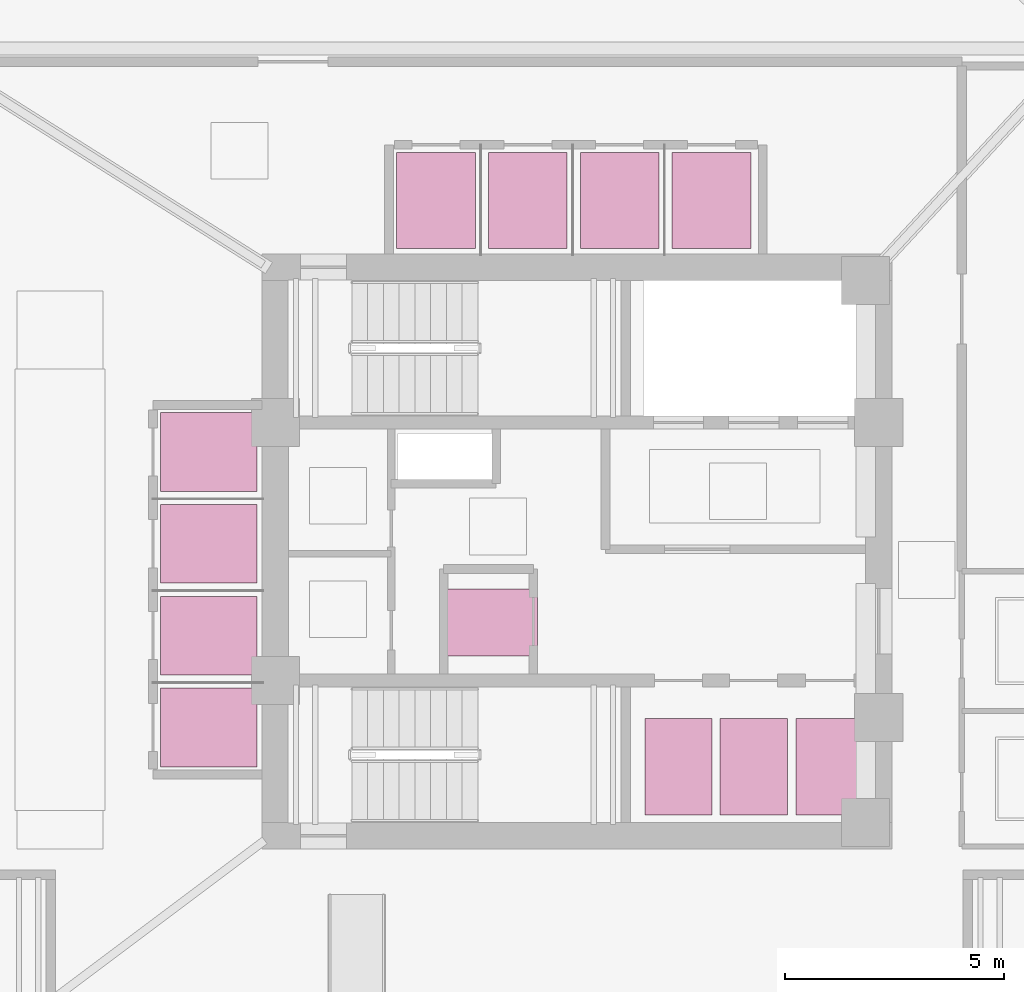
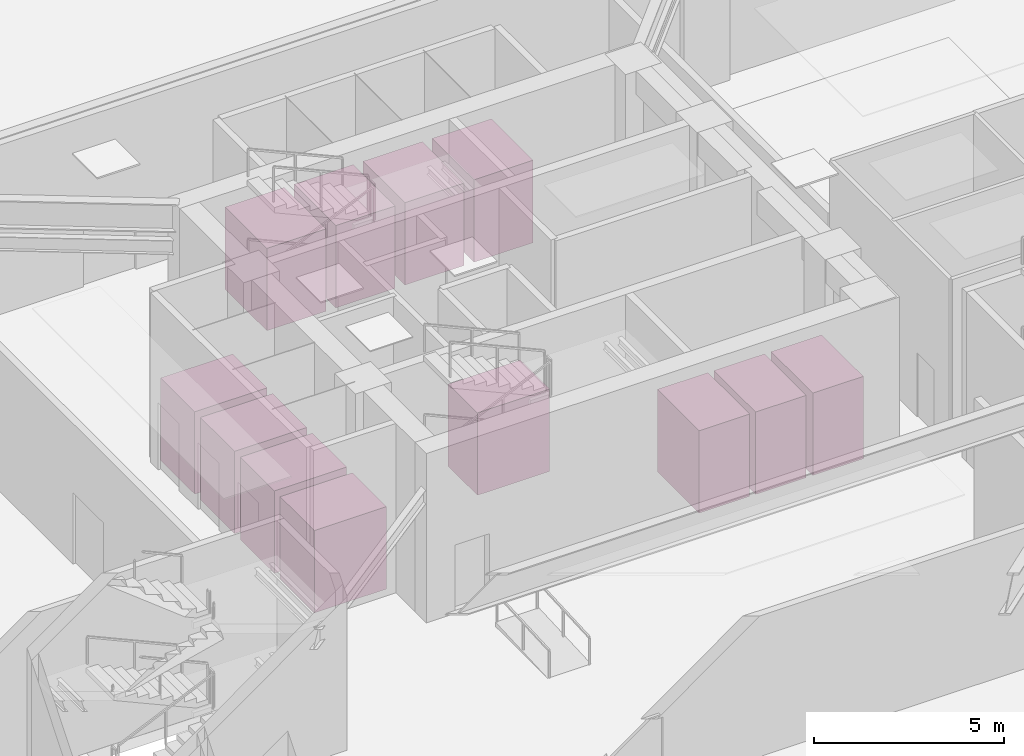
# One storey, part 13 of 13: 12 transport elements.
"""IFC4 building model written with IfcOpenShell, lengths in metres."""

from ifc_helpers import new_model, si_unit, direction, frame, origin, origin_2d, place, context, subcontext, project, spatial, rectangle, extrude, material, type_object, element, save


model = new_model("IFC4")

# Units and contexts
model_context = context("Model", 3, precision=1e-05, world=origin(), true_north=direction((0.0, 1.0)))
body_context = subcontext(model_context, "Body", "Model", "MODEL_VIEW")
ifc_project = project(units=[si_unit("LENGTHUNIT", "METRE"), si_unit("AREAUNIT", "SQUARE_METRE"), si_unit("VOLUMEUNIT", "CUBIC_METRE"), si_unit("PLANEANGLEUNIT", "RADIAN"), si_unit("MASSUNIT", "GRAM", prefix="KILO")], contexts=[model_context])

# Site, building, storey
site_placement = place(None, origin())
site = spatial("IfcSite", under=ifc_project, at=site_placement, CompositionType="ELEMENT")
building_placement = place(site_placement, origin())
building = spatial("IfcBuilding", under=site, at=building_placement, Name="Tavelor Broadcast Tower", CompositionType="ELEMENT")
storey_placement = place(building_placement, origin())
storey = spatial("IfcBuildingStorey", under=building, at=storey_placement, Name="L00", CompositionType="ELEMENT", Elevation=0.0)

# Transport elements
ifc_material = material(Name="Brushed Stainless Steel Cab", Category="steel")
transport_element_type = type_object("IfcTransportElementType", Name="High-Speed Gearless Passenger Lift 1600 kg 1800x2200", PredefinedType="ELEVATOR", material=ifc_material)
for number, where, z_axis, x_axis, name in (
    (1, (41.574951171875, 40.97509765625, 0.0), (0.0, 0.0, 1.0), (0.0, 1.0, 0.0), "Passenger Lift PLL1"),
    (2, (41.574951171875, 43.074951171875, 0.0), (0.0, 0.0, 1.0), (0.0, 1.0, 0.0), "Passenger Lift PLL2"),
    (3, (41.574951171875, 45.175048828125, 0.0), (0.0, 0.0, 1.0), (0.0, 1.0, 0.0), "Passenger Lift PLL3"),
    (4, (41.574951171875, 47.27490234375, 0.0), (0.0, 0.0, 1.0), (0.0, 1.0, 0.0), "Passenger Lift PLL4"),
):
    element("IfcTransportElement", number, at=place(storey_placement, frame(where, z_axis=z_axis, x_axis=x_axis)), inside=storey, type_object=transport_element_type, Name=name, PredefinedType="ELEVATOR", context=body_context, shape_type="SweptSolid", body=[
        extrude(rectangle(XDim=1.800048828125, YDim=2.199951171875, at=origin_2d()), origin(), (0.0, 0.0, 1.0), 2.64990234375),
    ])
for number, where, z_axis, x_axis, name in (
    (5, (52.320068359375, 40.074951171875, 0.0), (0.0, 0.0, 1.0), (1.0, 0.0, 0.0), "Passenger Lift PLM1"),
    (6, (54.0400390625, 40.074951171875, 0.0), (0.0, 0.0, 1.0), (1.0, 0.0, 0.0), "Passenger Lift PLM2"),
    (7, (55.780029296875, 40.074951171875, 0.0), (0.0, 0.0, 1.0), (1.0, 0.0, 0.0), "Passenger Lift PLM3"),
    (8, (48.0, 43.375, 0.0), (0.0, 0.0, 1.0), (0.0, -1.0, 0.0), "Passenger Lift PLM4"),
):
    element("IfcTransportElement", number, at=place(storey_placement, frame(where, z_axis=z_axis, x_axis=x_axis)), inside=storey, type_object=transport_element_type, Name=name, PredefinedType="ELEVATOR", context=body_context, shape_type="SweptSolid", body=[
        extrude(rectangle(XDim=1.5400390625, YDim=2.199951171875, at=origin_2d()), origin(), (0.0, 0.0, 1.0), 2.64990234375),
    ])
for number, where, z_axis, x_axis, name in (
    (9, (46.77490234375, 53.02490234375, 0.0), (0.0, 0.0, 1.0), (1.0, 0.0, 0.0), "Passenger Lift PLH1"),
    (10, (48.875, 53.02490234375, 0.0), (0.0, 0.0, 1.0), (1.0, 0.0, 0.0), "Passenger Lift PLH2"),
    (11, (50.97509765625, 53.02490234375, 0.0), (0.0, 0.0, 1.0), (1.0, 0.0, 0.0), "Passenger Lift PLH3"),
    (12, (53.074951171875, 53.02490234375, 0.0), (0.0, 0.0, 1.0), (1.0, 0.0, 0.0), "Passenger Lift PLH4"),
):
    element("IfcTransportElement", number, at=place(storey_placement, frame(where, z_axis=z_axis, x_axis=x_axis)), inside=storey, type_object=transport_element_type, Name=name, PredefinedType="ELEVATOR", context=body_context, shape_type="SweptSolid", body=[
        extrude(rectangle(XDim=1.800048828125, YDim=2.199951171875, at=origin_2d()), origin(), (0.0, 0.0, 1.0), 2.64990234375),
    ])

save(model, "model.ifc")
